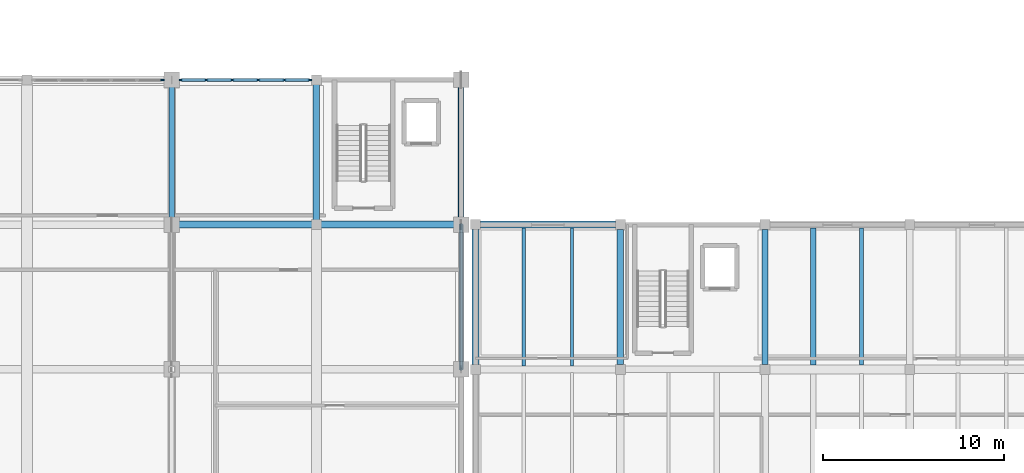
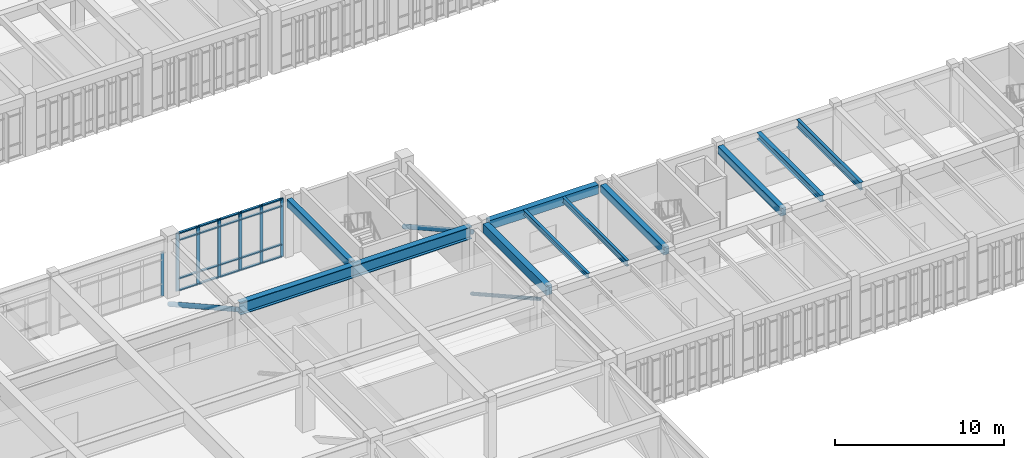
# One storey, part 18 of 79: 30 members, 10 beams, 2 elements without a shape of their own.
"""IFC4 building model written with IfcOpenShell, lengths in metres."""

from ifc_helpers import new_model, si_unit, direction, frame, origin, origin_2d, place, context, subcontext, project, spatial, rectangle, hollow_circle, i_section, extrude, material, material_profile, profile_set, type_object, element, aggregate, save


model = new_model("IFC4")

# Units and contexts
model_context = context("Model", 3, precision=1e-05, world=origin(), true_north=direction((0.0, 1.0)))
body_context = subcontext(model_context, "Body", "Model", "MODEL_VIEW")
ifc_project = project(units=[si_unit("LENGTHUNIT", "METRE"), si_unit("AREAUNIT", "SQUARE_METRE"), si_unit("VOLUMEUNIT", "CUBIC_METRE"), si_unit("PLANEANGLEUNIT", "RADIAN"), si_unit("MASSUNIT", "GRAM", prefix="KILO")], contexts=[model_context])

# Site, building, storey
site_placement = place(None, origin())
site = spatial("IfcSite", under=ifc_project, at=site_placement, CompositionType="ELEMENT")
building_placement = place(site_placement, origin())
building = spatial("IfcBuilding", under=site, at=building_placement, Name="Tlaxcora Railside Police Headquarters", CompositionType="ELEMENT")
storey_placement = place(building_placement, frame((0.0, 0.0, 9.0)))
storey = spatial("IfcBuildingStorey", under=building, at=storey_placement, Name="L02", CompositionType="ELEMENT", Elevation=9.0)

# Curtain wall, members
ifc_material_1 = material(Name="Thermally broken low-E insulated glazing", Category="glass")
curtain_wall_type_1 = type_object("IfcCurtainWallType", Name="Unitised Curtain Wall Assembly CW-23", PredefinedType="NOTDEFINED", material=ifc_material_1)
curtain_wall_1_placement = place(storey_placement, origin())
curtain_wall_1 = element("IfcCurtainWall", 1, at=curtain_wall_1_placement, inside=storey, type_object=curtain_wall_type_1, Name="V2 L02 curtain wall 12", PredefinedType="NOTDEFINED")
ifc_material_2 = material(Name="Anodised aluminium framing", Category="aluminium")
ifc_material_profile_1 = material_profile(ifc_material_2, rectangle(XDim=0.080078125, YDim=0.219970703125, at=origin_2d()), Name="AL80X220")
ifc_profile_set_1 = profile_set([ifc_material_profile_1], Name="Anodised aluminium framing")
member_type_1 = type_object("IfcMemberType", Name="Curtain Wall Mullion CW-31", PredefinedType="MULLION", material=ifc_profile_set_1)
member_1_placement = place(storey_placement, frame((93.635009765625, 60.0, 0.0), z_axis=(0.0, 0.0, 1.0), x_axis=(0.0, -1.0, 0.0)))
member_1 = element("IfcMember", 2, at=member_1_placement, type_object=member_type_1, Name="CW mullion 1", PredefinedType="MULLION", context=body_context, shape_type="SweptSolid", body=[
    extrude(rectangle(XDim=0.080078125, YDim=0.219970703125, at=origin_2d()), origin(), (0.0, 0.0, 1.0), 4.199951171875),
])
member_2_placement = place(storey_placement, frame((92.235107421875, 60.0, 0.0), z_axis=(0.0, 0.0, 1.0), x_axis=(0.0, -1.0, 0.0)))
member_2 = element("IfcMember", 3, at=member_2_placement, type_object=member_type_1, Name="CW mullion 2", PredefinedType="MULLION", context=body_context, shape_type="SweptSolid", body=[
    extrude(rectangle(XDim=0.080078125, YDim=0.219970703125, at=origin_2d()), origin(), (0.0, 0.0, 1.0), 4.199951171875),
])
member_3_placement = place(storey_placement, frame((90.794921875, 60.0, 0.0), z_axis=(0.0, 0.0, 1.0), x_axis=(0.0, -1.0, 0.0)))
member_3 = element("IfcMember", 4, at=member_3_placement, type_object=member_type_1, Name="CW mullion 3", PredefinedType="MULLION", context=body_context, shape_type="SweptSolid", body=[
    extrude(rectangle(XDim=0.080078125, YDim=0.219970703125, at=origin_2d()), origin(), (0.0, 0.0, 1.0), 4.199951171875),
])
member_4_placement = place(storey_placement, frame((89.35498046875, 60.0, 0.0), z_axis=(0.0, 0.0, 1.0), x_axis=(0.0, -1.0, 0.0)))
member_4 = element("IfcMember", 5, at=member_4_placement, type_object=member_type_1, Name="CW mullion 4", PredefinedType="MULLION", context=body_context, shape_type="SweptSolid", body=[
    extrude(rectangle(XDim=0.080078125, YDim=0.219970703125, at=origin_2d()), origin(), (0.0, 0.0, 1.0), 4.199951171875),
])
member_5_placement = place(storey_placement, frame((87.9150390625, 60.0, 0.0), z_axis=(0.0, 0.0, 1.0), x_axis=(0.0, -1.0, 0.0)))
member_5 = element("IfcMember", 6, at=member_5_placement, type_object=member_type_1, Name="CW mullion 5", PredefinedType="MULLION", context=body_context, shape_type="SweptSolid", body=[
    extrude(rectangle(XDim=0.080078125, YDim=0.219970703125, at=origin_2d()), origin(), (0.0, 0.0, 1.0), 4.199951171875),
])
member_6_placement = place(storey_placement, frame((86.514892578125, 60.0, 0.0), z_axis=(0.0, 0.0, 1.0), x_axis=(0.0, -1.0, 0.0)))
member_6 = element("IfcMember", 7, at=member_6_placement, type_object=member_type_1, Name="CW mullion 6", PredefinedType="MULLION", context=body_context, shape_type="SweptSolid", body=[
    extrude(rectangle(XDim=0.080078125, YDim=0.219970703125, at=origin_2d()), origin(), (0.0, 0.0, 1.0), 4.199951171875),
])

# Curtain wall, member
curtain_wall_type_2 = type_object("IfcCurtainWallType", Name="Unitised Curtain Wall Assembly CW-38", PredefinedType="NOTDEFINED", material=ifc_material_1)
curtain_wall_2_placement = place(storey_placement, origin())
curtain_wall_2 = element("IfcCurtainWall", 8, at=curtain_wall_2_placement, inside=storey, type_object=curtain_wall_type_2, Name="V2 L02 curtain wall 13", PredefinedType="NOTDEFINED")
ifc_material_profile_2 = material_profile(ifc_material_2, rectangle(XDim=0.074951171875, YDim=0.205078125, at=origin_2d()), Name="AL75X205")
ifc_profile_set_2 = profile_set([ifc_material_profile_2], Name="Anodised aluminium framing")
member_type_2 = type_object("IfcMemberType", Name="Curtain Wall Mullion CW-32", PredefinedType="MULLION", material=ifc_profile_set_2)
member_7_placement = place(storey_placement, frame((85.487548828125, 60.0, 0.0), z_axis=(0.0, 0.0, 1.0), x_axis=(0.0, -1.0, 0.0)))
member_7 = element("IfcMember", 9, at=member_7_placement, type_object=member_type_2, Name="CW mullion 1", PredefinedType="MULLION", context=body_context, shape_type="SweptSolid", body=[
    extrude(rectangle(XDim=0.074951171875, YDim=0.205078125, at=origin_2d()), origin(), (0.0, 0.0, 1.0), 3.179931640625),
])
aggregate(curtain_wall_2, [member_7])

# Member
ifc_material_profile_3 = material_profile(ifc_material_2, rectangle(XDim=0.1650390625, YDim=0.080078125, at=origin_2d()), Name="AL80X165")
ifc_profile_set_3 = profile_set([ifc_material_profile_3], Name="Anodised aluminium framing")
member_type_3 = type_object("IfcMemberType", Name="Curtain Wall Transom CW-62", PredefinedType="USERDEFINED", material=ifc_profile_set_3)
member_8_placement = place(storey_placement, frame((93.594970703125, 60.0, 0.0400390625), z_axis=(-1.0, 0.0, 0.0), x_axis=(0.0, -1.0, 0.0)))
member_8 = element("IfcMember", 10, at=member_8_placement, type_object=member_type_3, Name="CW transom 1.1", ObjectType="TRANSOM", PredefinedType="USERDEFINED", context=body_context, shape_type="SweptSolid", body=[
    extrude(rectangle(XDim=0.1650390625, YDim=0.080078125, at=origin_2d()), origin(), (0.0, 0.0, 1.0), 1.320068359375),
])

member_9_placement = place(storey_placement, frame((93.594970703125, 60.0, 0.89990234375), z_axis=(-1.0, 0.0, 0.0), x_axis=(0.0, -1.0, 0.0)))
member_9 = element("IfcMember", 11, at=member_9_placement, type_object=member_type_3, Name="CW transom 1.2", ObjectType="TRANSOM", PredefinedType="USERDEFINED", context=body_context, shape_type="SweptSolid", body=[
    extrude(rectangle(XDim=0.1650390625, YDim=0.080078125, at=origin_2d()), origin(), (0.0, 0.0, 1.0), 1.320068359375),
])

member_10_placement = place(storey_placement, frame((93.594970703125, 60.0, 3.669921875), z_axis=(-1.0, 0.0, 0.0), x_axis=(0.0, -1.0, 0.0)))
member_10 = element("IfcMember", 12, at=member_10_placement, type_object=member_type_3, Name="CW transom 1.3", ObjectType="TRANSOM", PredefinedType="USERDEFINED", context=body_context, shape_type="SweptSolid", body=[
    extrude(rectangle(XDim=0.1650390625, YDim=0.080078125, at=origin_2d()), origin(), (0.0, 0.0, 1.0), 1.320068359375),
])

member_11_placement = place(storey_placement, frame((93.594970703125, 60.0, 4.159912109375), z_axis=(-1.0, 0.0, 0.0), x_axis=(0.0, -1.0, 0.0)))
member_11 = element("IfcMember", 13, at=member_11_placement, type_object=member_type_3, Name="CW transom 1.4", ObjectType="TRANSOM", PredefinedType="USERDEFINED", context=body_context, shape_type="SweptSolid", body=[
    extrude(rectangle(XDim=0.1650390625, YDim=0.080078125, at=origin_2d()), origin(), (0.0, 0.0, 1.0), 1.320068359375),
])

member_12_placement = place(storey_placement, frame((92.195068359375, 60.0, 0.0400390625), z_axis=(-1.0, 0.0, 0.0), x_axis=(0.0, -1.0, 0.0)))
member_12 = element("IfcMember", 14, at=member_12_placement, type_object=member_type_3, Name="CW transom 2.1", ObjectType="TRANSOM", PredefinedType="USERDEFINED", context=body_context, shape_type="SweptSolid", body=[
    extrude(rectangle(XDim=0.1650390625, YDim=0.080078125, at=origin_2d()), origin(), (0.0, 0.0, 1.0), 1.360107421875),
])

member_13_placement = place(storey_placement, frame((92.195068359375, 60.0, 0.89990234375), z_axis=(-1.0, 0.0, 0.0), x_axis=(0.0, -1.0, 0.0)))
member_13 = element("IfcMember", 15, at=member_13_placement, type_object=member_type_3, Name="CW transom 2.2", ObjectType="TRANSOM", PredefinedType="USERDEFINED", context=body_context, shape_type="SweptSolid", body=[
    extrude(rectangle(XDim=0.1650390625, YDim=0.080078125, at=origin_2d()), origin(), (0.0, 0.0, 1.0), 1.360107421875),
])

member_14_placement = place(storey_placement, frame((92.195068359375, 60.0, 3.669921875), z_axis=(-1.0, 0.0, 0.0), x_axis=(0.0, -1.0, 0.0)))
member_14 = element("IfcMember", 16, at=member_14_placement, type_object=member_type_3, Name="CW transom 2.3", ObjectType="TRANSOM", PredefinedType="USERDEFINED", context=body_context, shape_type="SweptSolid", body=[
    extrude(rectangle(XDim=0.1650390625, YDim=0.080078125, at=origin_2d()), origin(), (0.0, 0.0, 1.0), 1.360107421875),
])

member_15_placement = place(storey_placement, frame((92.195068359375, 60.0, 4.159912109375), z_axis=(-1.0, 0.0, 0.0), x_axis=(0.0, -1.0, 0.0)))
member_15 = element("IfcMember", 17, at=member_15_placement, type_object=member_type_3, Name="CW transom 2.4", ObjectType="TRANSOM", PredefinedType="USERDEFINED", context=body_context, shape_type="SweptSolid", body=[
    extrude(rectangle(XDim=0.1650390625, YDim=0.080078125, at=origin_2d()), origin(), (0.0, 0.0, 1.0), 1.360107421875),
])

member_16_placement = place(storey_placement, frame((90.7548828125, 60.0, 0.0400390625), z_axis=(-1.0, 0.0, 0.0), x_axis=(0.0, -1.0, 0.0)))
member_16 = element("IfcMember", 18, at=member_16_placement, type_object=member_type_3, Name="CW transom 3.1", ObjectType="TRANSOM", PredefinedType="USERDEFINED", context=body_context, shape_type="SweptSolid", body=[
    extrude(rectangle(XDim=0.1650390625, YDim=0.080078125, at=origin_2d()), origin(), (0.0, 0.0, 1.0), 1.35986328125),
])

member_17_placement = place(storey_placement, frame((90.7548828125, 60.0, 0.89990234375), z_axis=(-1.0, 0.0, 0.0), x_axis=(0.0, -1.0, 0.0)))
member_17 = element("IfcMember", 19, at=member_17_placement, type_object=member_type_3, Name="CW transom 3.2", ObjectType="TRANSOM", PredefinedType="USERDEFINED", context=body_context, shape_type="SweptSolid", body=[
    extrude(rectangle(XDim=0.1650390625, YDim=0.080078125, at=origin_2d()), origin(), (0.0, 0.0, 1.0), 1.35986328125),
])

member_18_placement = place(storey_placement, frame((90.7548828125, 60.0, 3.669921875), z_axis=(-1.0, 0.0, 0.0), x_axis=(0.0, -1.0, 0.0)))
member_18 = element("IfcMember", 20, at=member_18_placement, type_object=member_type_3, Name="CW transom 3.3", ObjectType="TRANSOM", PredefinedType="USERDEFINED", context=body_context, shape_type="SweptSolid", body=[
    extrude(rectangle(XDim=0.1650390625, YDim=0.080078125, at=origin_2d()), origin(), (0.0, 0.0, 1.0), 1.35986328125),
])

member_19_placement = place(storey_placement, frame((90.7548828125, 60.0, 4.159912109375), z_axis=(-1.0, 0.0, 0.0), x_axis=(0.0, -1.0, 0.0)))
member_19 = element("IfcMember", 21, at=member_19_placement, type_object=member_type_3, Name="CW transom 3.4", ObjectType="TRANSOM", PredefinedType="USERDEFINED", context=body_context, shape_type="SweptSolid", body=[
    extrude(rectangle(XDim=0.1650390625, YDim=0.080078125, at=origin_2d()), origin(), (0.0, 0.0, 1.0), 1.35986328125),
])

member_20_placement = place(storey_placement, frame((89.31494140625, 60.0, 0.0400390625), z_axis=(-1.0, 0.0, 0.0), x_axis=(0.0, -1.0, 0.0)))
member_20 = element("IfcMember", 22, at=member_20_placement, type_object=member_type_3, Name="CW transom 4.1", ObjectType="TRANSOM", PredefinedType="USERDEFINED", context=body_context, shape_type="SweptSolid", body=[
    extrude(rectangle(XDim=0.1650390625, YDim=0.080078125, at=origin_2d()), origin(), (0.0, 0.0, 1.0), 1.35986328125),
])

member_21_placement = place(storey_placement, frame((89.31494140625, 60.0, 0.89990234375), z_axis=(-1.0, 0.0, 0.0), x_axis=(0.0, -1.0, 0.0)))
member_21 = element("IfcMember", 23, at=member_21_placement, type_object=member_type_3, Name="CW transom 4.2", ObjectType="TRANSOM", PredefinedType="USERDEFINED", context=body_context, shape_type="SweptSolid", body=[
    extrude(rectangle(XDim=0.1650390625, YDim=0.080078125, at=origin_2d()), origin(), (0.0, 0.0, 1.0), 1.35986328125),
])

member_22_placement = place(storey_placement, frame((89.31494140625, 60.0, 3.669921875), z_axis=(-1.0, 0.0, 0.0), x_axis=(0.0, -1.0, 0.0)))
member_22 = element("IfcMember", 24, at=member_22_placement, type_object=member_type_3, Name="CW transom 4.3", ObjectType="TRANSOM", PredefinedType="USERDEFINED", context=body_context, shape_type="SweptSolid", body=[
    extrude(rectangle(XDim=0.1650390625, YDim=0.080078125, at=origin_2d()), origin(), (0.0, 0.0, 1.0), 1.35986328125),
])

member_23_placement = place(storey_placement, frame((89.31494140625, 60.0, 4.159912109375), z_axis=(-1.0, 0.0, 0.0), x_axis=(0.0, -1.0, 0.0)))
member_23 = element("IfcMember", 25, at=member_23_placement, type_object=member_type_3, Name="CW transom 4.4", ObjectType="TRANSOM", PredefinedType="USERDEFINED", context=body_context, shape_type="SweptSolid", body=[
    extrude(rectangle(XDim=0.1650390625, YDim=0.080078125, at=origin_2d()), origin(), (0.0, 0.0, 1.0), 1.35986328125),
])

member_24_placement = place(storey_placement, frame((87.875, 60.0, 0.0400390625), z_axis=(-1.0, 0.0, 0.0), x_axis=(0.0, -1.0, 0.0)))
member_24 = element("IfcMember", 26, at=member_24_placement, type_object=member_type_3, Name="CW transom 5.1", ObjectType="TRANSOM", PredefinedType="USERDEFINED", context=body_context, shape_type="SweptSolid", body=[
    extrude(rectangle(XDim=0.1650390625, YDim=0.080078125, at=origin_2d()), origin(), (0.0, 0.0, 1.0), 1.320068359375),
])

member_25_placement = place(storey_placement, frame((87.875, 60.0, 0.89990234375), z_axis=(-1.0, 0.0, 0.0), x_axis=(0.0, -1.0, 0.0)))
member_25 = element("IfcMember", 27, at=member_25_placement, type_object=member_type_3, Name="CW transom 5.2", ObjectType="TRANSOM", PredefinedType="USERDEFINED", context=body_context, shape_type="SweptSolid", body=[
    extrude(rectangle(XDim=0.1650390625, YDim=0.080078125, at=origin_2d()), origin(), (0.0, 0.0, 1.0), 1.320068359375),
])

member_26_placement = place(storey_placement, frame((87.875, 60.0, 3.669921875), z_axis=(-1.0, 0.0, 0.0), x_axis=(0.0, -1.0, 0.0)))
member_26 = element("IfcMember", 28, at=member_26_placement, type_object=member_type_3, Name="CW transom 5.3", ObjectType="TRANSOM", PredefinedType="USERDEFINED", context=body_context, shape_type="SweptSolid", body=[
    extrude(rectangle(XDim=0.1650390625, YDim=0.080078125, at=origin_2d()), origin(), (0.0, 0.0, 1.0), 1.320068359375),
])

member_27_placement = place(storey_placement, frame((87.875, 60.0, 4.159912109375), z_axis=(-1.0, 0.0, 0.0), x_axis=(0.0, -1.0, 0.0)))
member_27 = element("IfcMember", 29, at=member_27_placement, type_object=member_type_3, Name="CW transom 5.4", ObjectType="TRANSOM", PredefinedType="USERDEFINED", context=body_context, shape_type="SweptSolid", body=[
    extrude(rectangle(XDim=0.1650390625, YDim=0.080078125, at=origin_2d()), origin(), (0.0, 0.0, 1.0), 1.320068359375),
])

aggregate(curtain_wall_1, [member_1, member_2, member_3, member_4, member_5, member_6, member_8, member_9, member_10, member_11, member_12, member_13, member_14, member_15, member_16, member_17, member_18, member_19, member_20, member_21, member_22, member_23, member_24, member_25, member_26, member_27])

# Members
ifc_material_3 = material(Name="Steel ASTM A992 Grade 50", Category="steel")
ifc_material_profile_4 = material_profile(ifc_material_3, hollow_circle(Radius=0.162109375, WallThickness=0.013916015625, at=origin_2d()), Name="CHS324X14")
ifc_profile_set_4 = profile_set([ifc_material_profile_4], Name="Steel ASTM A992 Grade 50")
member_type_4 = type_object("IfcMemberType", Name="Diagonal Brace Member MB-47", PredefinedType="BRACE", material=ifc_profile_set_4)
for number, where, z_axis, x_axis, name in (
    (30, (86.0, 60.0, -0.77001953125), (0.0, -0.872972176335, 0.487770006607), (1.0, 0.0, 0.0), "Truss TR-3 L02 web diagonal 1"),
    (31, (102.0, 60.0, -0.77001953125), (0.0, -0.872972176335, 0.487770006607), (1.0, 0.0, 0.0), "Truss TR-4 L02 web diagonal 1"),
):
    element("IfcMember", number, at=place(storey_placement, frame(where, z_axis=z_axis, x_axis=x_axis)), inside=storey, type_object=member_type_4, Name=name, PredefinedType="BRACE", context=body_context, shape_type="SweptSolid", body=[
        extrude(hollow_circle(Radius=0.162109375, WallThickness=0.013916015625, at=origin_2d()), origin(), (0.0, 0.0, 1.0), 9.1640625),
    ])
ifc_material_profile_5 = material_profile(ifc_material_3, hollow_circle(Radius=0.1220703125, WallThickness=0.011962890625, at=origin_2d()), Name="CHS244X12")
ifc_profile_set_5 = profile_set([ifc_material_profile_5], Name="Steel ASTM A992 Grade 50")
member_type_5 = type_object("IfcMemberType", Name="Diagonal Brace Member MB-60", PredefinedType="BRACE", material=ifc_profile_set_5)
member_28_placement = place(storey_placement, frame((102.0, 52.0, -0.77001953125), z_axis=(0.0, -0.872972176335, 0.487770006607), x_axis=(1.0, 0.0, 0.0)))
element("IfcMember", 32, at=member_28_placement, inside=storey, type_object=member_type_5, Name="Truss TR-4 L02 web diagonal 2", PredefinedType="BRACE", context=body_context, shape_type="SweptSolid", body=[
    extrude(hollow_circle(Radius=0.1220703125, WallThickness=0.011962890625, at=origin_2d()), origin(), (0.0, 0.0, 1.0), 9.1640625),
])

# Beams
ifc_material_4 = material(Name="Concrete C40/50", Category="concrete")
ifc_material_profile_6 = material_profile(ifc_material_4, rectangle(XDim=0.39990234375, YDim=0.64990234375, at=origin_2d()), Name="RC400X650")
ifc_profile_set_6 = profile_set([ifc_material_profile_6], Name="Concrete C40/50")
beam_type_1 = type_object("IfcBeamType", Name="Perimeter Spandrel Beam BM-46", PredefinedType="SPANDREL", material=ifc_profile_set_6)
beam_1_placement = place(storey_placement, frame((103.06494140625, 52.0, 3.89501953125), z_axis=(1.0, 0.0, 0.0), x_axis=(0.0, 1.0, 0.0)))
element("IfcBeam", 33, at=beam_1_placement, inside=storey, type_object=beam_type_1, Name="V7 L02 X-girder Y=52.0", PredefinedType="SPANDREL", context=body_context, shape_type="SweptSolid", body=[
    extrude(rectangle(XDim=0.39990234375, YDim=0.64990234375, at=origin_2d()), origin(), (0.0, 0.0, 1.0), 7.469970703125),
])
beam_2_placement = place(storey_placement, frame((102.800048828125, 44.264892578125, 3.89501953125), z_axis=(0.0, 1.0, 0.0), x_axis=(-1.0, 0.0, 0.0)))
element("IfcBeam", 34, at=beam_2_placement, inside=storey, type_object=beam_type_1, Name="V7 L02 Y-girder X=102.8", PredefinedType="SPANDREL", context=body_context, shape_type="SweptSolid", body=[
    extrude(rectangle(XDim=0.39990234375, YDim=0.64990234375, at=origin_2d()), origin(), (0.0, 0.0, 1.0), 7.47021484375),
])
ifc_material_profile_7 = material_profile(ifc_material_4, rectangle(XDim=0.35009765625, YDim=0.550048828125, at=origin_2d()), Name="RC350X550")
ifc_profile_set_7 = profile_set([ifc_material_profile_7], Name="Concrete C40/50")
beam_type_2 = type_object("IfcBeamType", Name="Primary Frame Girder BM-39", PredefinedType="BEAM", material=ifc_profile_set_7)
for number, where, z_axis, x_axis, name in (
    (35, (94.0, 52.264892578125, 3.945068359375), (0.0, 1.0, 0.0), (-1.0, 0.0, 0.0), "V2 L02 Y-girder X=94.0"),
    (36, (110.800048828125, 44.264892578125, 3.945068359375), (0.0, 1.0, 0.0), (-1.0, 0.0, 0.0), "V7 L02 Y-girder X=110.8"),
    (37, (118.800048828125, 44.264892578125, 3.945068359375), (0.0, 1.0, 0.0), (-1.0, 0.0, 0.0), "V7 L02 Y-girder X=118.8"),
):
    element("IfcBeam", number, at=place(storey_placement, frame(where, z_axis=z_axis, x_axis=x_axis)), inside=storey, type_object=beam_type_2, Name=name, PredefinedType="BEAM", context=body_context, shape_type="SweptSolid", body=[
        extrude(rectangle(XDim=0.35009765625, YDim=0.550048828125, at=origin_2d()), origin(), (0.0, 0.0, 1.0), 7.47021484375),
    ])
ifc_material_profile_8 = material_profile(ifc_material_3, i_section(OverallWidth=0.403076171875, OverallDepth=0.868896484375, WebThickness=0.02099609375, FlangeThickness=0.03564453125, at=origin_2d()), Name="W33X241")
ifc_profile_set_8 = profile_set([ifc_material_profile_8], Name="Steel ASTM A992 Grade 50")
beam_type_3 = type_object("IfcBeamType", Name="Primary Frame Girder BM-45", PredefinedType="BEAM", material=ifc_profile_set_8)
beam_3_placement = place(storey_placement, frame((86.10009765625, 52.0, 3.785400390625), z_axis=(1.0, 0.0, 0.0), x_axis=(0.0, 1.0, 0.0)))
element("IfcBeam", 38, at=beam_3_placement, inside=storey, type_object=beam_type_3, Name="V2 L03 transverse girder Y=52.0", PredefinedType="BEAM", context=body_context, shape_type="SweptSolid", body=[
    extrude(i_section(OverallWidth=0.403076171875, OverallDepth=0.868896484375, WebThickness=0.02099609375, FlangeThickness=0.03564453125, at=origin_2d()), origin(), (0.0, 0.0, 1.0), 15.7998046875),
])
ifc_material_profile_9 = material_profile(ifc_material_3, i_section(OverallWidth=0.280029296875, OverallDepth=0.4619140625, WebThickness=0.0107421875, FlangeThickness=0.017333984375, at=origin_2d()), Name="W18X76")
ifc_profile_set_9 = profile_set([ifc_material_profile_9], Name="Steel ASTM A992 Grade 50")
beam_type_4 = type_object("IfcBeamType", Name="Secondary Floor Joist BM-44", PredefinedType="JOIST", material=ifc_profile_set_9)
beam_4_placement = place(storey_placement, frame((121.466796875, 44.241943359375, 3.989013671875), z_axis=(0.0, 1.0, 0.0), x_axis=(-1.0, 0.0, 0.0)))
element("IfcBeam", 39, at=beam_4_placement, inside=storey, type_object=beam_type_4, Name="V7 L02 floor joist X=121.47", PredefinedType="JOIST", context=body_context, shape_type="SweptSolid", body=[
    extrude(i_section(OverallWidth=0.280029296875, OverallDepth=0.4619140625, WebThickness=0.0107421875, FlangeThickness=0.017333984375, at=origin_2d()), origin(), (0.0, 0.0, 1.0), 7.566162109375),
])
ifc_material_profile_10 = material_profile(ifc_material_3, i_section(OverallWidth=0.2041015625, OverallDepth=0.35009765625, WebThickness=0.008544921875, FlangeThickness=0.01513671875, at=origin_2d()), Name="W14X48")
ifc_profile_set_10 = profile_set([ifc_material_profile_10], Name="Steel ASTM A992 Grade 50")
beam_type_5 = type_object("IfcBeamType", Name="Secondary Floor Joist BM-65", PredefinedType="JOIST", material=ifc_profile_set_10)
beam_5_placement = place(storey_placement, frame((105.466796875, 44.181884765625, 4.044921875), z_axis=(0.0, 1.0, 0.0), x_axis=(-1.0, 0.0, 0.0)))
element("IfcBeam", 40, at=beam_5_placement, inside=storey, type_object=beam_type_5, Name="V7 L02 floor joist X=105.47", PredefinedType="JOIST", context=body_context, shape_type="SweptSolid", body=[
    extrude(i_section(OverallWidth=0.2041015625, OverallDepth=0.35009765625, WebThickness=0.008544921875, FlangeThickness=0.01513671875, at=origin_2d()), origin(), (0.0, 0.0, 1.0), 7.626220703125),
])
ifc_material_profile_11 = material_profile(ifc_material_3, i_section(OverallWidth=0.180908203125, OverallDepth=0.4169921875, WebThickness=0.010009765625, FlangeThickness=0.018310546875, at=origin_2d()), Name="W16X57")
ifc_profile_set_11 = profile_set([ifc_material_profile_11], Name="Steel ASTM A992 Grade 50")
beam_type_6 = type_object("IfcBeamType", Name="Secondary Floor Joist BM-84", PredefinedType="JOIST", material=ifc_profile_set_11)
beam_6_placement = place(storey_placement, frame((108.13330078125, 44.181884765625, 4.011474609375), z_axis=(0.0, 1.0, 0.0), x_axis=(-1.0, 0.0, 0.0)))
element("IfcBeam", 41, at=beam_6_placement, inside=storey, type_object=beam_type_6, Name="V7 L02 floor joist X=108.13", PredefinedType="JOIST", context=body_context, shape_type="SweptSolid", body=[
    extrude(i_section(OverallWidth=0.180908203125, OverallDepth=0.4169921875, WebThickness=0.010009765625, FlangeThickness=0.018310546875, at=origin_2d()), origin(), (0.0, 0.0, 1.0), 7.626220703125),
])
ifc_material_profile_12 = material_profile(ifc_material_3, i_section(OverallWidth=0.214111328125, OverallDepth=0.549072265625, WebThickness=0.0146484375, FlangeThickness=0.023681640625, at=origin_2d()), Name="W21X93")
ifc_profile_set_12 = profile_set([ifc_material_profile_12], Name="Steel ASTM A992 Grade 50")
beam_type_7 = type_object("IfcBeamType", Name="Secondary Floor Joist BM-97", PredefinedType="JOIST", material=ifc_profile_set_12)
beam_7_placement = place(storey_placement, frame((124.13330078125, 44.241943359375, 3.945556640625), z_axis=(0.0, 1.0, 0.0), x_axis=(-1.0, 0.0, 0.0)))
element("IfcBeam", 42, at=beam_7_placement, inside=storey, type_object=beam_type_7, Name="V7 L02 floor joist X=124.13", PredefinedType="JOIST", context=body_context, shape_type="SweptSolid", body=[
    extrude(i_section(OverallWidth=0.214111328125, OverallDepth=0.549072265625, WebThickness=0.0146484375, FlangeThickness=0.023681640625, at=origin_2d()), origin(), (0.0, 0.0, 1.0), 7.566162109375),
])

save(model, "model.ifc")
